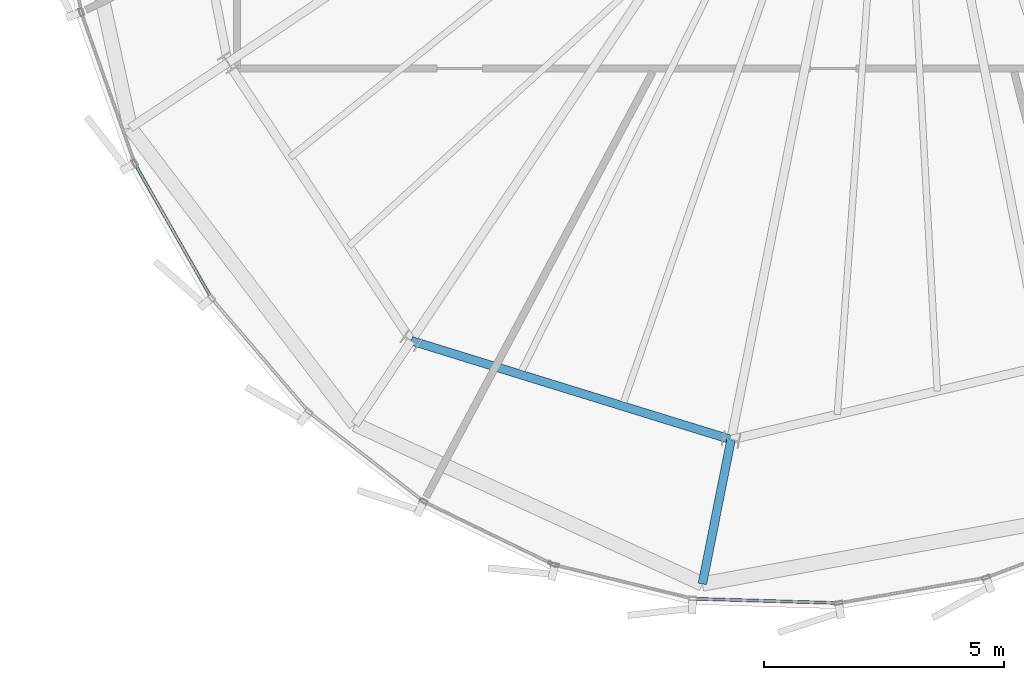
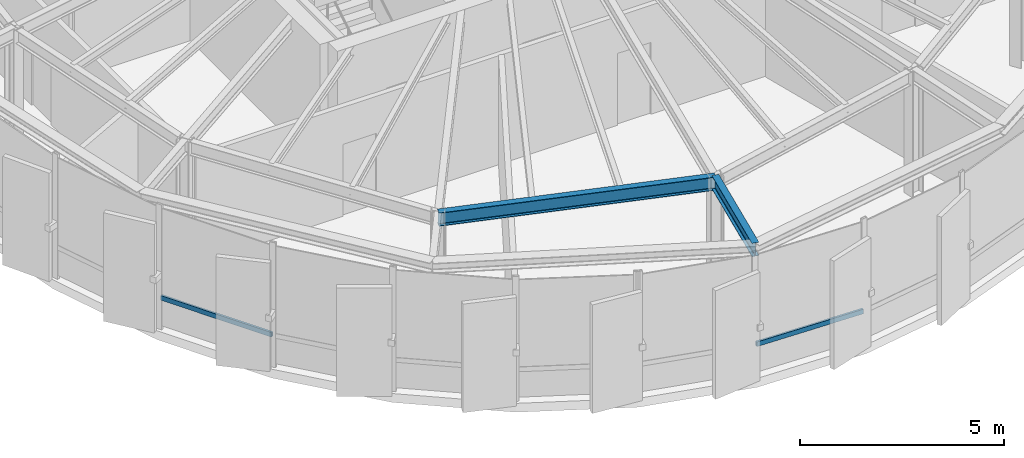
# One storey, part 3 of 26: 2 beams, 2 members, 2 elements without a shape of their own.
"""IFC4 building model written with IfcOpenShell, lengths in metres."""

from ifc_helpers import new_model, si_unit, direction, frame, origin, origin_2d, place, context, subcontext, project, spatial, hollow_rectangle, i_section, extrude, source, transform, mapped, material, layer, layer_set, material_profile, profile_set, type_object, element, aggregate, save


model = new_model("IFC4")

# Units and contexts
model_context = context("Model", 3, precision=1e-05, world=origin(), true_north=direction((0.0, 1.0)))
body_context = subcontext(model_context, "Body", "Model", "MODEL_VIEW")
ifc_project = project(units=[si_unit("LENGTHUNIT", "METRE"), si_unit("AREAUNIT", "SQUARE_METRE"), si_unit("VOLUMEUNIT", "CUBIC_METRE"), si_unit("PLANEANGLEUNIT", "RADIAN"), si_unit("MASSUNIT", "GRAM", prefix="KILO"), si_unit("THERMODYNAMICTEMPERATUREUNIT", "KELVIN")], contexts=[model_context])

# Site, building, storey
site_placement = place(None, origin())
site = spatial("IfcSite", under=ifc_project, at=site_placement, CompositionType="ELEMENT")
building_placement = place(site_placement, origin())
building = spatial("IfcBuilding", under=site, at=building_placement, Name="Kethvar Cultural Tower", CompositionType="ELEMENT")
storey_placement = place(building_placement, frame((0.0, 0.0, 316.300048828125)))
storey = spatial("IfcBuildingStorey", under=building, at=storey_placement, Name="L84", CompositionType="ELEMENT", Elevation=316.300048828125)

# Beams
ifc_material_1 = material(Name="Steel S355J2", Category="steel")
ifc_material_profile_1 = material_profile(ifc_material_1, i_section(OverallWidth=0.179931640625, OverallDepth=0.39990234375, WebThickness=0.008544921875, FlangeThickness=0.013427734375, FilletRadius=0.02099609375, at=origin_2d()), Name="Steel S355J2 — IPE400")
ifc_profile_set_1 = profile_set([ifc_material_profile_1], Name="Steel S355J2 — IPE400")
beam_type = type_object("IfcBeamType", Name="BM-IPE400", PredefinedType="BEAM", material=ifc_profile_set_1)
shared_shape_1 = source(origin(), body_context, "Body", "SweptSolid", [
    extrude(i_section(OverallWidth=0.179931640625, OverallDepth=0.39990234375, WebThickness=0.008544921875, FlangeThickness=0.013427734375, FilletRadius=0.02099609375, at=origin_2d()), origin(), (0.0, 0.0, 1.0), 6.97265625),
])
beam_1_placement = place(storey_placement, frame((36.731201171875, 12.73095703125, 3.532958984375), z_axis=(0.955381444404, -0.295374839295, 0.0), x_axis=(0.295374839295, 0.955381444404, 0.0)))
element("IfcBeam", 1, at=beam_1_placement, inside=storey, type_object=beam_type, Name="L84 Column Ring Tie Beam CR-11", PredefinedType="BEAM", context=body_context, shape_type="MappedRepresentation", body=[
    mapped(shared_shape_1, transform((0.0, 0.0, 0.0), scale=1.0)),
])
shared_shape_2 = source(origin(), body_context, "Body", "SweptSolid", [
    extrude(i_section(OverallWidth=0.179931640625, OverallDepth=0.39990234375, WebThickness=0.008544921875, FlangeThickness=0.013427734375, FilletRadius=0.02099609375, at=origin_2d()), origin(), (0.0, 0.0, 1.0), 3.065185546875),
])
beam_2_placement = place(storey_placement, frame((43.392822265625, 10.67138671875, 3.532958984375), z_axis=(-0.19505914706, -0.980791480972, 0.0), x_axis=(0.980791480972, -0.19505914706, 0.0)))
element("IfcBeam", 2, at=beam_2_placement, inside=storey, type_object=beam_type, Name="L84 Perimeter Cantilever Beam RC-12", PredefinedType="BEAM", context=body_context, shape_type="MappedRepresentation", body=[
    mapped(shared_shape_2, transform((0.0, 0.0, 0.0), scale=1.0)),
])

# Curtain wall, member
ifc_material_2 = material(Name="Aluminium 6063-T6", Category="aluminium")
ifc_layer = layer(ifc_material_2, 0.179931640625, Name="Aluminium 6063-T6", Category="aluminium")
ifc_layer_set = layer_set([ifc_layer], Name="Aluminium 6063-T6 (180 mm)")
curtain_wall_type = type_object("IfcCurtainWallType", Name="CW-SYS-06-CROWN", PredefinedType="NOTDEFINED", material=ifc_layer_set)
curtain_wall_1_placement = place(storey_placement, origin())
curtain_wall_1 = element("IfcCurtainWall", 3, at=curtain_wall_1_placement, inside=storey, type_object=curtain_wall_type, Name="L84 Curtain Wall Run 03", PredefinedType="NOTDEFINED")
ifc_material_profile_2 = material_profile(ifc_material_2, hollow_rectangle(XDim=0.06005859375, YDim=0.139892578125, WallThickness=0.0048828125, at=origin_2d()), Name="Aluminium 6063-T6 — RHS140x60x5")
ifc_profile_set_2 = profile_set([ifc_material_profile_2], Name="Aluminium 6063-T6 — RHS140x60x5")
member_type = type_object("IfcMemberType", Name="CW-SYS-06-CROWN-TRN", PredefinedType="USERDEFINED", material=ifc_profile_set_2)
shared_shape_3 = source(origin(), body_context, "Body", "SweptSolid", [
    extrude(hollow_rectangle(XDim=0.06005859375, YDim=0.139892578125, WallThickness=0.0048828125, at=origin_2d()), origin(), (0.0, 0.0, 1.0), 3.15380859375),
])
member_1_placement = place(storey_placement, frame((30.995849609375, 16.380615234375, 0.949951171875), z_axis=(0.495438493726, -0.868643021577, 0.0), x_axis=(0.868643021577, 0.495438493726, 0.0)))
member_1 = element("IfcMember", 4, at=member_1_placement, type_object=member_type, Name="CW-L84-R03 Transom 3", ObjectType="TRANSOM", PredefinedType="USERDEFINED", context=body_context, shape_type="MappedRepresentation", body=[
    mapped(shared_shape_3, transform((0.0, 0.0, 0.0), scale=1.0)),
])
aggregate(curtain_wall_1, [member_1])

curtain_wall_2_placement = place(storey_placement, origin())
curtain_wall_2 = element("IfcCurtainWall", 5, at=curtain_wall_2_placement, inside=storey, type_object=curtain_wall_type, Name="L84 Curtain Wall Run 04", PredefinedType="NOTDEFINED")
shared_shape_4 = source(origin(), body_context, "Body", "SweptSolid", [
    extrude(hollow_rectangle(XDim=0.06005859375, YDim=0.139892578125, WallThickness=0.0048828125, at=origin_2d()), origin(), (0.0, 0.0, 1.0), 2.969482421875),
])
member_2_placement = place(storey_placement, frame((42.638916015625, 7.3564453125, 0.949951171875), z_axis=(0.999559472445, -0.029679303303, 0.0), x_axis=(0.029679303303, 0.999559472445, 0.0)))
member_2 = element("IfcMember", 6, at=member_2_placement, type_object=member_type, Name="CW-L84-R04 Transom 2", ObjectType="TRANSOM", PredefinedType="USERDEFINED", context=body_context, shape_type="MappedRepresentation", body=[
    mapped(shared_shape_4, transform((0.0, 0.0, 0.0), scale=1.0)),
])
aggregate(curtain_wall_2, [member_2])

save(model, "model.ifc")
